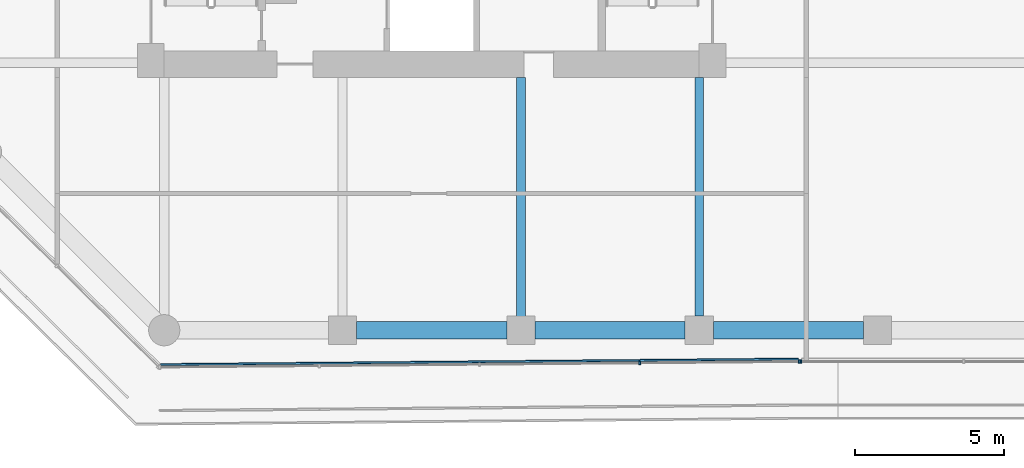
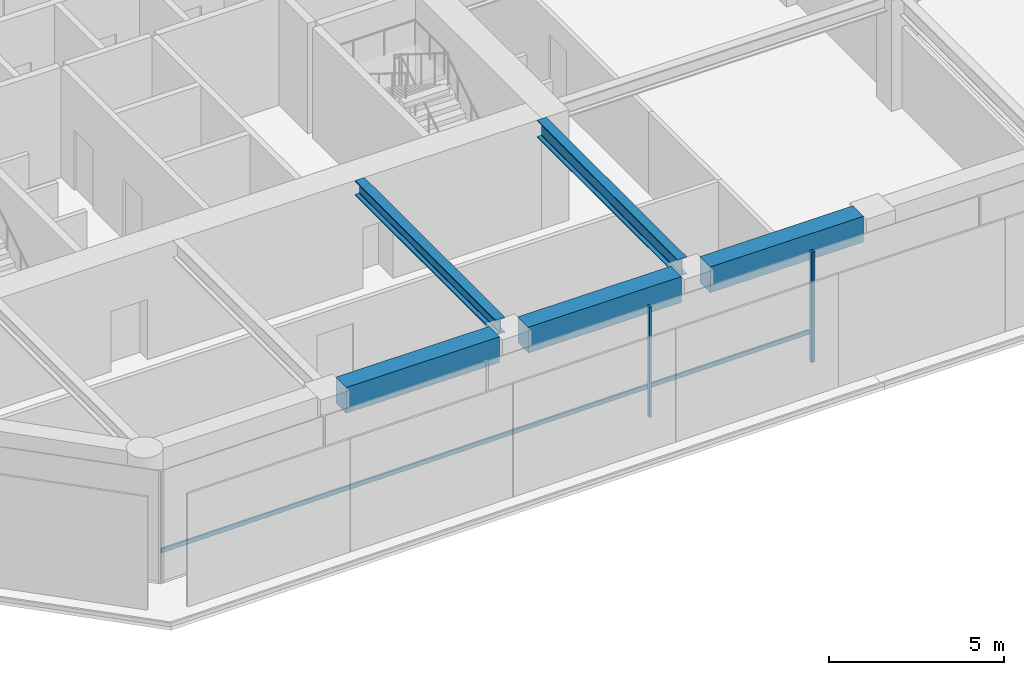
# One storey, part 3 of 28: 5 beams, 4 members, 2 elements without a shape of their own.
"""IFC4 building model written with IfcOpenShell, lengths in metres."""

from ifc_helpers import new_model, si_unit, direction, frame, origin, origin_2d, place, context, subcontext, project, spatial, rectangle, i_section, extrude, material, layer, layer_set, material_profile, profile_set, type_object, element, aggregate, save


model = new_model("IFC4")

# Units and contexts
model_context = context("Model", 3, precision=1e-05, world=origin(), true_north=direction((0.0, 1.0)))
body_context = subcontext(model_context, "Body", "Model", "MODEL_VIEW")
ifc_project = project(units=[si_unit("LENGTHUNIT", "METRE"), si_unit("AREAUNIT", "SQUARE_METRE"), si_unit("VOLUMEUNIT", "CUBIC_METRE"), si_unit("PLANEANGLEUNIT", "RADIAN"), si_unit("MASSUNIT", "GRAM", prefix="KILO")], contexts=[model_context])

# Site, building, storey
site_placement = place(None, origin())
site = spatial("IfcSite", under=ifc_project, at=site_placement, CompositionType="ELEMENT")
building_placement = place(site_placement, origin())
building = spatial("IfcBuilding", under=site, at=building_placement, Name="Welwitschia Terrace Campus", CompositionType="ELEMENT")
storey_placement = place(building_placement, frame((0.0, 0.0, 54.199951171875)))
storey = spatial("IfcBuildingStorey", under=building, at=storey_placement, Name="L12", CompositionType="ELEMENT", Elevation=54.199951171875)

# Beam
ifc_material_1 = material(Name="Steel S355", Category="steel")
ifc_material_profile_1 = material_profile(ifc_material_1, i_section(OverallWidth=0.305908203125, OverallDepth=0.52392578125, WebThickness=0.02099609375, FlangeThickness=0.0400390625, FilletRadius=0.027099609375, at=origin_2d()))
ifc_profile_set_1 = profile_set([ifc_material_profile_1], Name="Steel S355")
beam_type_1 = type_object("IfcBeamType", Name="Interior girder HE 500 M", PredefinedType="BEAM", material=ifc_profile_set_1)
beam_1_placement = place(storey_placement, frame((18.0, -3.534423828125, 3.588134765625), z_axis=(0.0, 1.0, 0.0), x_axis=(-1.0, 0.0, 0.0)))
element("IfcBeam", 1, at=beam_1_placement, inside=storey, type_object=beam_type_1, Name="Girder GB2", PredefinedType="BEAM", context=body_context, shape_type="SweptSolid", body=[
    extrude(i_section(OverallWidth=0.305908203125, OverallDepth=0.52392578125, WebThickness=0.02099609375, FlangeThickness=0.0400390625, FilletRadius=0.027099609375, at=origin_2d()), origin(), (0.0, 0.0, 1.0), 8.033447265625),
])

# Curtain wall, members
ifc_material_2 = material(Name="Bronze anodised aluminium", Category="aluminium")
ifc_layer = layer(ifc_material_2, 0.1201171875)
ifc_layer_set = layer_set([ifc_layer], Name="Bronze anodised aluminium")
curtain_wall_type = type_object("IfcCurtainWallType", Name="Curtain wall CW2 tower 6000", PredefinedType="NOTDEFINED", material=ifc_layer_set)
curtain_wall_1_placement = place(storey_placement, origin())
curtain_wall_1 = element("IfcCurtainWall", 2, at=curtain_wall_1_placement, inside=storey, type_object=curtain_wall_type, Name="CW L12.3.0", PredefinedType="NOTDEFINED")
ifc_material_3 = material(Name="Bronze anodised aluminium", Category="aluminium")
ifc_material_profile_2 = material_profile(ifc_material_3, rectangle(XDim=0.1201171875, YDim=0.06005859375, at=origin_2d()))
ifc_profile_set_2 = profile_set([ifc_material_profile_2], Name="Bronze anodised aluminium")
member_type_1 = type_object("IfcMemberType", Name="Mullion 60x120", PredefinedType="MULLION", material=ifc_profile_set_2)
member_1_placement = place(storey_placement, frame((22.001953125, -5.10498046875, 0.0), z_axis=(0.0, 0.0, 1.0), x_axis=(-0.008726535498, 0.999961923064, 0.0)))
member_1 = element("IfcMember", 3, at=member_1_placement, type_object=member_type_1, Name="Mullion L12.3.0.3", PredefinedType="MULLION", context=body_context, shape_type="SweptSolid", body=[
    extrude(rectangle(XDim=0.1201171875, YDim=0.06005859375, at=origin_2d()), origin(), (0.0, 0.0, 1.0), 3.85009765625),
])
member_2_placement = place(storey_placement, frame((27.366455078125, -5.058349609375, 0.0), z_axis=(0.0, 0.0, 1.0), x_axis=(-0.008726535498, 0.999961923064, 0.0)))
member_2 = element("IfcMember", 4, at=member_2_placement, type_object=member_type_1, Name="Mullion L12.3.0.4", PredefinedType="MULLION", context=body_context, shape_type="SweptSolid", body=[
    extrude(rectangle(XDim=0.1201171875, YDim=0.06005859375, at=origin_2d()), origin(), (0.0, 0.0, 1.0), 3.85009765625),
])

# Curtain wall, member
curtain_wall_2_placement = place(storey_placement, origin())
curtain_wall_2 = element("IfcCurtainWall", 5, at=curtain_wall_2_placement, inside=storey, type_object=curtain_wall_type, Name="CW L12.4.0", PredefinedType="NOTDEFINED")
member_3_placement = place(storey_placement, frame((27.426513671875, -5.05810546875, 0.0), z_axis=(0.0, 0.0, 1.0), x_axis=(0.0, 1.0, 0.0)))
member_3 = element("IfcMember", 6, at=member_3_placement, type_object=member_type_1, Name="Mullion L12.4.0.0", PredefinedType="MULLION", context=body_context, shape_type="SweptSolid", body=[
    extrude(rectangle(XDim=0.1201171875, YDim=0.06005859375, at=origin_2d()), origin(), (0.0, 0.0, 1.0), 3.85009765625),
])
aggregate(curtain_wall_2, [member_3])

# Beams
ifc_material_4 = material(Name="Steel S355", Category="steel")
ifc_material_profile_3 = material_profile(ifc_material_4, i_section(OverallWidth=0.300048828125, OverallDepth=0.60009765625, WebThickness=0.015380859375, FlangeThickness=0.030029296875, FilletRadius=0.027099609375, at=origin_2d()))
ifc_profile_set_3 = profile_set([ifc_material_profile_3], Name="Steel S355")
beam_type_2 = type_object("IfcBeamType", Name="Primary beam HE 600 B", PredefinedType="BEAM", material=ifc_profile_set_3)
beam_2_placement = place(storey_placement, frame((24.0, -3.5244140625, 3.550048828125), z_axis=(0.0, 1.0, 0.0), x_axis=(-1.0, 0.0, 0.0)))
element("IfcBeam", 7, at=beam_2_placement, inside=storey, type_object=beam_type_2, Name="Primary beam PB2", PredefinedType="BEAM", context=body_context, shape_type="SweptSolid", body=[
    extrude(i_section(OverallWidth=0.300048828125, OverallDepth=0.60009765625, WebThickness=0.015380859375, FlangeThickness=0.030029296875, FilletRadius=0.027099609375, at=origin_2d()), origin(), (0.0, 0.0, 1.0), 8.0244140625),
])
ifc_material_5 = material(Name="Concrete C60/75", Category="concrete")
ifc_material_profile_4 = material_profile(ifc_material_5, rectangle(XDim=0.60009765625, YDim=0.89990234375, at=origin_2d()))
ifc_profile_set_4 = profile_set([ifc_material_profile_4], Name="Concrete C60/75")
beam_type_3 = type_object("IfcBeamType", Name="Ring spandrel 600x900", PredefinedType="SPANDREL", material=ifc_profile_set_4)
for number, where, z_axis, x_axis, name in (
    (8, (12.4755859375, -4.0, 3.400146484375), (1.0, 0.0, 0.0), (0.0, 1.0, 0.0), "Spandrel SP2"),
    (9, (18.4755859375, -4.0, 3.400146484375), (1.0, 0.0, 0.0), (0.0, 1.0, 0.0), "Spandrel SP2"),
    (10, (24.4755859375, -4.0, 3.400146484375), (1.0, 0.0, 0.0), (0.0, 1.0, 0.0), "Spandrel SP2"),
):
    element("IfcBeam", number, at=place(storey_placement, frame(where, z_axis=z_axis, x_axis=x_axis)), inside=storey, type_object=beam_type_3, Name=name, PredefinedType="SPANDREL", context=body_context, shape_type="SweptSolid", body=[
        extrude(rectangle(XDim=0.60009765625, YDim=0.89990234375, at=origin_2d()), origin(), (0.0, 0.0, 1.0), 5.048828125),
    ])

# Member
ifc_material_6 = material(Name="Bronze anodised aluminium", Category="aluminium")
ifc_material_profile_5 = material_profile(ifc_material_6, rectangle(XDim=0.06005859375, YDim=0.14990234375, at=origin_2d()))
ifc_profile_set_5 = profile_set([ifc_material_profile_5], Name="Bronze anodised aluminium")
member_type_2 = type_object("IfcMemberType", Name="Transom 60x150", PredefinedType="USERDEFINED", material=ifc_profile_set_5)
member_4_placement = place(storey_placement, frame((5.877685546875, -5.15576171875, 1.0), z_axis=(0.999961925235, 0.008726286768, 0.0), x_axis=(-0.008726286768, 0.999961925235, 0.0)))
member_4 = element("IfcMember", 11, at=member_4_placement, type_object=member_type_2, Name="Transom L12.3.0", ObjectType="TRANSOM", PredefinedType="USERDEFINED", context=body_context, shape_type="SweptSolid", body=[
    extrude(rectangle(XDim=0.06005859375, YDim=0.14990234375, at=origin_2d()), origin(), (0.0, 0.0, 1.0), 21.458740234375),
])

aggregate(curtain_wall_1, [member_1, member_2, member_4])

save(model, "model.ifc")
